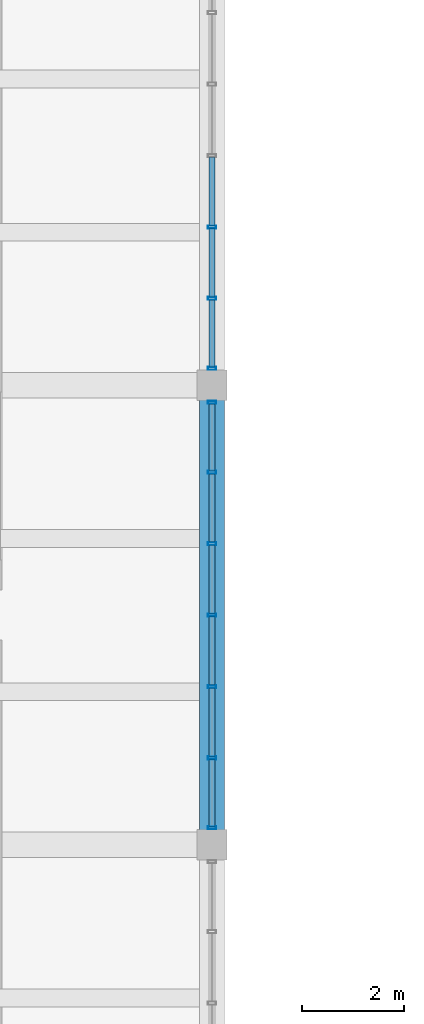
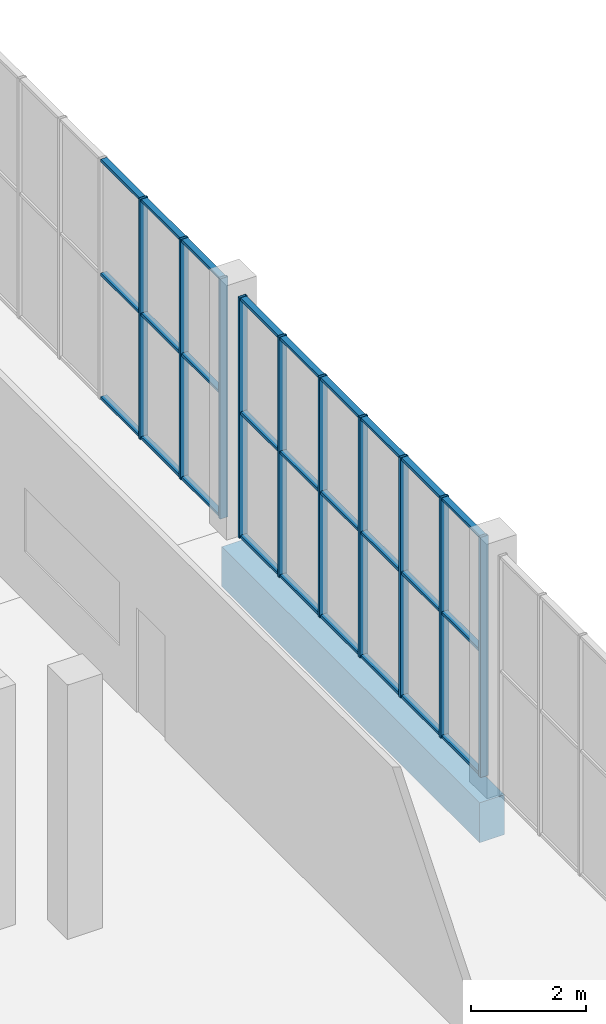
# One storey, part 54 of 132: 37 members, 1 beam, 2 elements without a shape of their own.
"""IFC4 building model written with IfcOpenShell, lengths in metres."""

from ifc_helpers import new_model, si_unit, direction, frame, origin, origin_2d, place, context, subcontext, project, spatial, rectangle, hollow_rectangle, extrude, material, material_profile, profile_set, type_object, element, aggregate, save


model = new_model("IFC4")

# Units and contexts
model_context = context("Model", 3, precision=1e-05, world=origin(), true_north=direction((0.0, 1.0)))
body_context = subcontext(model_context, "Body", "Model", "MODEL_VIEW")
ifc_project = project(units=[si_unit("LENGTHUNIT", "METRE"), si_unit("AREAUNIT", "SQUARE_METRE"), si_unit("VOLUMEUNIT", "CUBIC_METRE"), si_unit("PLANEANGLEUNIT", "RADIAN"), si_unit("MASSUNIT", "GRAM", prefix="KILO")], contexts=[model_context])

# Site, building, storey
site_placement = place(None, origin())
site = spatial("IfcSite", under=ifc_project, at=site_placement, CompositionType="ELEMENT")
building_placement = place(site_placement, origin())
building = spatial("IfcBuilding", under=site, at=building_placement, Name="Khurvash Pelagic Aquarium", CompositionType="ELEMENT")
storey_placement = place(building_placement, frame((0.0, 0.0, 5.39990234375)))
storey = spatial("IfcBuildingStorey", under=building, at=storey_placement, Name="L01", CompositionType="ELEMENT", Elevation=5.39990234375)

# Curtain wall, members
ifc_material_1 = material(Name="Anodised aluminium and low-E laminated glass", Category="aluminium")
curtain_wall_type = type_object("IfcCurtainWallType", Name="CW-06", PredefinedType="USERDEFINED", material=ifc_material_1)
curtain_wall_1_placement = place(storey_placement, origin())
curtain_wall_1 = element("IfcCurtainWall", 1, at=curtain_wall_1_placement, inside=storey, type_object=curtain_wall_type, Name="L01 Facade Unitised Curtain Wall CW-06 0132", ObjectType="UNITISED CURTAIN WALL", PredefinedType="USERDEFINED")
ifc_material_2 = material(Name="Extruded aluminium AW-6063-T6", Category="aluminium")
ifc_material_profile_1 = material_profile(ifc_material_2, hollow_rectangle(XDim=0.06005859375, YDim=0.159912109375, WallThickness=0.00390625, at=origin_2d()), Name="CWM60X160X4")
ifc_profile_set_1 = profile_set([ifc_material_profile_1], Name="Extruded aluminium AW-6063-T6")
member_type_1 = type_object("IfcMemberType", Name="CM-02", PredefinedType="MULLION", material=ifc_profile_set_1)
member_1_placement = place(storey_placement, frame((33.60009765625, 66.284912109375, 0.0), z_axis=(0.0, 0.0, 1.0), x_axis=(0.0, 1.0, 0.0)))
member_1 = element("IfcMember", 2, at=member_1_placement, type_object=member_type_1, Name="CW-06 mullion 1", PredefinedType="MULLION", context=body_context, shape_type="SweptSolid", body=[
    extrude(hollow_rectangle(XDim=0.06005859375, YDim=0.159912109375, WallThickness=0.00390625, at=origin_2d()), origin(), (0.0, 0.0, 1.0), 5.10009765625),
])
member_2_placement = place(storey_placement, frame((33.60009765625, 67.66162109375, 0.0), z_axis=(0.0, 0.0, 1.0), x_axis=(0.0, 1.0, 0.0)))
member_2 = element("IfcMember", 3, at=member_2_placement, type_object=member_type_1, Name="CW-06 mullion 2", PredefinedType="MULLION", context=body_context, shape_type="SweptSolid", body=[
    extrude(hollow_rectangle(XDim=0.06005859375, YDim=0.159912109375, WallThickness=0.00390625, at=origin_2d()), origin(), (0.0, 0.0, 1.0), 5.10009765625),
])
member_3_placement = place(storey_placement, frame((33.60009765625, 69.068359375, 0.0), z_axis=(0.0, 0.0, 1.0), x_axis=(0.0, 1.0, 0.0)))
member_3 = element("IfcMember", 4, at=member_3_placement, type_object=member_type_1, Name="CW-06 mullion 3", PredefinedType="MULLION", context=body_context, shape_type="SweptSolid", body=[
    extrude(hollow_rectangle(XDim=0.06005859375, YDim=0.159912109375, WallThickness=0.00390625, at=origin_2d()), origin(), (0.0, 0.0, 1.0), 5.10009765625),
])
member_4_placement = place(storey_placement, frame((33.60009765625, 70.47509765625, 0.0), z_axis=(0.0, 0.0, 1.0), x_axis=(0.0, 1.0, 0.0)))
member_4 = element("IfcMember", 5, at=member_4_placement, type_object=member_type_1, Name="CW-06 mullion 4", PredefinedType="MULLION", context=body_context, shape_type="SweptSolid", body=[
    extrude(hollow_rectangle(XDim=0.06005859375, YDim=0.159912109375, WallThickness=0.00390625, at=origin_2d()), origin(), (0.0, 0.0, 1.0), 5.10009765625),
])
member_5_placement = place(storey_placement, frame((33.60009765625, 71.881591796875, 0.0), z_axis=(0.0, 0.0, 1.0), x_axis=(0.0, 1.0, 0.0)))
member_5 = element("IfcMember", 6, at=member_5_placement, type_object=member_type_1, Name="CW-06 mullion 5", PredefinedType="MULLION", context=body_context, shape_type="SweptSolid", body=[
    extrude(hollow_rectangle(XDim=0.06005859375, YDim=0.159912109375, WallThickness=0.00390625, at=origin_2d()), origin(), (0.0, 0.0, 1.0), 5.10009765625),
])
member_6_placement = place(storey_placement, frame((33.60009765625, 73.288330078125, 0.0), z_axis=(0.0, 0.0, 1.0), x_axis=(0.0, 1.0, 0.0)))
member_6 = element("IfcMember", 7, at=member_6_placement, type_object=member_type_1, Name="CW-06 mullion 6", PredefinedType="MULLION", context=body_context, shape_type="SweptSolid", body=[
    extrude(hollow_rectangle(XDim=0.06005859375, YDim=0.159912109375, WallThickness=0.00390625, at=origin_2d()), origin(), (0.0, 0.0, 1.0), 5.10009765625),
])
member_7_placement = place(storey_placement, frame((33.60009765625, 74.6650390625, 0.0), z_axis=(0.0, 0.0, 1.0), x_axis=(0.0, 1.0, 0.0)))
member_7 = element("IfcMember", 8, at=member_7_placement, type_object=member_type_1, Name="CW-06 mullion 7", PredefinedType="MULLION", context=body_context, shape_type="SweptSolid", body=[
    extrude(hollow_rectangle(XDim=0.06005859375, YDim=0.159912109375, WallThickness=0.00390625, at=origin_2d()), origin(), (0.0, 0.0, 1.0), 5.10009765625),
])

curtain_wall_2_placement = place(storey_placement, origin())
curtain_wall_2 = element("IfcCurtainWall", 9, at=curtain_wall_2_placement, inside=storey, type_object=curtain_wall_type, Name="L01 Facade Unitised Curtain Wall CW-06 0133", ObjectType="UNITISED CURTAIN WALL", PredefinedType="USERDEFINED")
member_8_placement = place(storey_placement, frame((33.60009765625, 75.3349609375, 0.0), z_axis=(0.0, 0.0, 1.0), x_axis=(0.0, 1.0, 0.0)))
member_8 = element("IfcMember", 10, at=member_8_placement, type_object=member_type_1, Name="CW-06 mullion 1", PredefinedType="MULLION", context=body_context, shape_type="SweptSolid", body=[
    extrude(hollow_rectangle(XDim=0.06005859375, YDim=0.159912109375, WallThickness=0.00390625, at=origin_2d()), origin(), (0.0, 0.0, 1.0), 5.10009765625),
])
member_9_placement = place(storey_placement, frame((33.60009765625, 76.711669921875, 0.0), z_axis=(0.0, 0.0, 1.0), x_axis=(0.0, 1.0, 0.0)))
member_9 = element("IfcMember", 11, at=member_9_placement, type_object=member_type_1, Name="CW-06 mullion 2", PredefinedType="MULLION", context=body_context, shape_type="SweptSolid", body=[
    extrude(hollow_rectangle(XDim=0.06005859375, YDim=0.159912109375, WallThickness=0.00390625, at=origin_2d()), origin(), (0.0, 0.0, 1.0), 5.10009765625),
])
member_10_placement = place(storey_placement, frame((33.60009765625, 78.118408203125, 0.0), z_axis=(0.0, 0.0, 1.0), x_axis=(0.0, 1.0, 0.0)))
member_10 = element("IfcMember", 12, at=member_10_placement, type_object=member_type_1, Name="CW-06 mullion 3", PredefinedType="MULLION", context=body_context, shape_type="SweptSolid", body=[
    extrude(hollow_rectangle(XDim=0.06005859375, YDim=0.159912109375, WallThickness=0.00390625, at=origin_2d()), origin(), (0.0, 0.0, 1.0), 5.10009765625),
])

# Member
ifc_material_profile_2 = material_profile(ifc_material_2, hollow_rectangle(XDim=0.1201171875, YDim=0.06005859375, WallThickness=0.00390625, at=origin_2d()), Name="CWT120X60X4")
ifc_profile_set_2 = profile_set([ifc_material_profile_2], Name="Extruded aluminium AW-6063-T6")
member_type_2 = type_object("IfcMemberType", Name="CT-02", PredefinedType="USERDEFINED", material=ifc_profile_set_2)
member_11_placement = place(storey_placement, frame((33.60009765625, 66.31494140625, 0.030029296875), z_axis=(0.0, 1.0, 0.0), x_axis=(-1.0, 0.0, 0.0)))
member_11 = element("IfcMember", 13, at=member_11_placement, type_object=member_type_2, Name="CW-06 transom 1.1", ObjectType="TRANSOM", PredefinedType="USERDEFINED", context=body_context, shape_type="SweptSolid", body=[
    extrude(hollow_rectangle(XDim=0.1201171875, YDim=0.06005859375, WallThickness=0.00390625, at=origin_2d()), origin(), (0.0, 0.0, 1.0), 1.316650390625),
])

member_12_placement = place(storey_placement, frame((33.60009765625, 66.31494140625, 2.652099609375), z_axis=(0.0, 1.0, 0.0), x_axis=(-1.0, 0.0, 0.0)))
member_12 = element("IfcMember", 14, at=member_12_placement, type_object=member_type_2, Name="CW-06 transom 1.2", ObjectType="TRANSOM", PredefinedType="USERDEFINED", context=body_context, shape_type="SweptSolid", body=[
    extrude(hollow_rectangle(XDim=0.1201171875, YDim=0.06005859375, WallThickness=0.00390625, at=origin_2d()), origin(), (0.0, 0.0, 1.0), 1.316650390625),
])

member_13_placement = place(storey_placement, frame((33.60009765625, 66.31494140625, 5.070068359375), z_axis=(0.0, 1.0, 0.0), x_axis=(-1.0, 0.0, 0.0)))
member_13 = element("IfcMember", 15, at=member_13_placement, type_object=member_type_2, Name="CW-06 transom 1.3", ObjectType="TRANSOM", PredefinedType="USERDEFINED", context=body_context, shape_type="SweptSolid", body=[
    extrude(hollow_rectangle(XDim=0.1201171875, YDim=0.06005859375, WallThickness=0.00390625, at=origin_2d()), origin(), (0.0, 0.0, 1.0), 1.316650390625),
])

member_14_placement = place(storey_placement, frame((33.60009765625, 67.691650390625, 0.030029296875), z_axis=(0.0, 1.0, 0.0), x_axis=(-1.0, 0.0, 0.0)))
member_14 = element("IfcMember", 16, at=member_14_placement, type_object=member_type_2, Name="CW-06 transom 2.1", ObjectType="TRANSOM", PredefinedType="USERDEFINED", context=body_context, shape_type="SweptSolid", body=[
    extrude(hollow_rectangle(XDim=0.1201171875, YDim=0.06005859375, WallThickness=0.00390625, at=origin_2d()), origin(), (0.0, 0.0, 1.0), 1.3466796875),
])

member_15_placement = place(storey_placement, frame((33.60009765625, 67.691650390625, 2.652099609375), z_axis=(0.0, 1.0, 0.0), x_axis=(-1.0, 0.0, 0.0)))
member_15 = element("IfcMember", 17, at=member_15_placement, type_object=member_type_2, Name="CW-06 transom 2.2", ObjectType="TRANSOM", PredefinedType="USERDEFINED", context=body_context, shape_type="SweptSolid", body=[
    extrude(hollow_rectangle(XDim=0.1201171875, YDim=0.06005859375, WallThickness=0.00390625, at=origin_2d()), origin(), (0.0, 0.0, 1.0), 1.3466796875),
])

member_16_placement = place(storey_placement, frame((33.60009765625, 67.691650390625, 5.070068359375), z_axis=(0.0, 1.0, 0.0), x_axis=(-1.0, 0.0, 0.0)))
member_16 = element("IfcMember", 18, at=member_16_placement, type_object=member_type_2, Name="CW-06 transom 2.3", ObjectType="TRANSOM", PredefinedType="USERDEFINED", context=body_context, shape_type="SweptSolid", body=[
    extrude(hollow_rectangle(XDim=0.1201171875, YDim=0.06005859375, WallThickness=0.00390625, at=origin_2d()), origin(), (0.0, 0.0, 1.0), 1.3466796875),
])

member_17_placement = place(storey_placement, frame((33.60009765625, 69.098388671875, 0.030029296875), z_axis=(0.0, 1.0, 0.0), x_axis=(-1.0, 0.0, 0.0)))
member_17 = element("IfcMember", 19, at=member_17_placement, type_object=member_type_2, Name="CW-06 transom 3.1", ObjectType="TRANSOM", PredefinedType="USERDEFINED", context=body_context, shape_type="SweptSolid", body=[
    extrude(hollow_rectangle(XDim=0.1201171875, YDim=0.06005859375, WallThickness=0.00390625, at=origin_2d()), origin(), (0.0, 0.0, 1.0), 1.3466796875),
])

member_18_placement = place(storey_placement, frame((33.60009765625, 69.098388671875, 2.652099609375), z_axis=(0.0, 1.0, 0.0), x_axis=(-1.0, 0.0, 0.0)))
member_18 = element("IfcMember", 20, at=member_18_placement, type_object=member_type_2, Name="CW-06 transom 3.2", ObjectType="TRANSOM", PredefinedType="USERDEFINED", context=body_context, shape_type="SweptSolid", body=[
    extrude(hollow_rectangle(XDim=0.1201171875, YDim=0.06005859375, WallThickness=0.00390625, at=origin_2d()), origin(), (0.0, 0.0, 1.0), 1.3466796875),
])

member_19_placement = place(storey_placement, frame((33.60009765625, 69.098388671875, 5.070068359375), z_axis=(0.0, 1.0, 0.0), x_axis=(-1.0, 0.0, 0.0)))
member_19 = element("IfcMember", 21, at=member_19_placement, type_object=member_type_2, Name="CW-06 transom 3.3", ObjectType="TRANSOM", PredefinedType="USERDEFINED", context=body_context, shape_type="SweptSolid", body=[
    extrude(hollow_rectangle(XDim=0.1201171875, YDim=0.06005859375, WallThickness=0.00390625, at=origin_2d()), origin(), (0.0, 0.0, 1.0), 1.3466796875),
])

member_20_placement = place(storey_placement, frame((33.60009765625, 70.5048828125, 0.030029296875), z_axis=(0.0, 1.0, 0.0), x_axis=(-1.0, 0.0, 0.0)))
member_20 = element("IfcMember", 22, at=member_20_placement, type_object=member_type_2, Name="CW-06 transom 4.1", ObjectType="TRANSOM", PredefinedType="USERDEFINED", context=body_context, shape_type="SweptSolid", body=[
    extrude(hollow_rectangle(XDim=0.1201171875, YDim=0.06005859375, WallThickness=0.00390625, at=origin_2d()), origin(), (0.0, 0.0, 1.0), 1.3466796875),
])

member_21_placement = place(storey_placement, frame((33.60009765625, 70.5048828125, 2.652099609375), z_axis=(0.0, 1.0, 0.0), x_axis=(-1.0, 0.0, 0.0)))
member_21 = element("IfcMember", 23, at=member_21_placement, type_object=member_type_2, Name="CW-06 transom 4.2", ObjectType="TRANSOM", PredefinedType="USERDEFINED", context=body_context, shape_type="SweptSolid", body=[
    extrude(hollow_rectangle(XDim=0.1201171875, YDim=0.06005859375, WallThickness=0.00390625, at=origin_2d()), origin(), (0.0, 0.0, 1.0), 1.3466796875),
])

member_22_placement = place(storey_placement, frame((33.60009765625, 70.5048828125, 5.070068359375), z_axis=(0.0, 1.0, 0.0), x_axis=(-1.0, 0.0, 0.0)))
member_22 = element("IfcMember", 24, at=member_22_placement, type_object=member_type_2, Name="CW-06 transom 4.3", ObjectType="TRANSOM", PredefinedType="USERDEFINED", context=body_context, shape_type="SweptSolid", body=[
    extrude(hollow_rectangle(XDim=0.1201171875, YDim=0.06005859375, WallThickness=0.00390625, at=origin_2d()), origin(), (0.0, 0.0, 1.0), 1.3466796875),
])

member_23_placement = place(storey_placement, frame((33.60009765625, 71.91162109375, 0.030029296875), z_axis=(0.0, 1.0, 0.0), x_axis=(-1.0, 0.0, 0.0)))
member_23 = element("IfcMember", 25, at=member_23_placement, type_object=member_type_2, Name="CW-06 transom 5.1", ObjectType="TRANSOM", PredefinedType="USERDEFINED", context=body_context, shape_type="SweptSolid", body=[
    extrude(hollow_rectangle(XDim=0.1201171875, YDim=0.06005859375, WallThickness=0.00390625, at=origin_2d()), origin(), (0.0, 0.0, 1.0), 1.3466796875),
])

member_24_placement = place(storey_placement, frame((33.60009765625, 71.91162109375, 2.652099609375), z_axis=(0.0, 1.0, 0.0), x_axis=(-1.0, 0.0, 0.0)))
member_24 = element("IfcMember", 26, at=member_24_placement, type_object=member_type_2, Name="CW-06 transom 5.2", ObjectType="TRANSOM", PredefinedType="USERDEFINED", context=body_context, shape_type="SweptSolid", body=[
    extrude(hollow_rectangle(XDim=0.1201171875, YDim=0.06005859375, WallThickness=0.00390625, at=origin_2d()), origin(), (0.0, 0.0, 1.0), 1.3466796875),
])

member_25_placement = place(storey_placement, frame((33.60009765625, 71.91162109375, 5.070068359375), z_axis=(0.0, 1.0, 0.0), x_axis=(-1.0, 0.0, 0.0)))
member_25 = element("IfcMember", 27, at=member_25_placement, type_object=member_type_2, Name="CW-06 transom 5.3", ObjectType="TRANSOM", PredefinedType="USERDEFINED", context=body_context, shape_type="SweptSolid", body=[
    extrude(hollow_rectangle(XDim=0.1201171875, YDim=0.06005859375, WallThickness=0.00390625, at=origin_2d()), origin(), (0.0, 0.0, 1.0), 1.3466796875),
])

member_26_placement = place(storey_placement, frame((33.60009765625, 73.318359375, 0.030029296875), z_axis=(0.0, 1.0, 0.0), x_axis=(-1.0, 0.0, 0.0)))
member_26 = element("IfcMember", 28, at=member_26_placement, type_object=member_type_2, Name="CW-06 transom 6.1", ObjectType="TRANSOM", PredefinedType="USERDEFINED", context=body_context, shape_type="SweptSolid", body=[
    extrude(hollow_rectangle(XDim=0.1201171875, YDim=0.06005859375, WallThickness=0.00390625, at=origin_2d()), origin(), (0.0, 0.0, 1.0), 1.316650390625),
])

member_27_placement = place(storey_placement, frame((33.60009765625, 73.318359375, 2.652099609375), z_axis=(0.0, 1.0, 0.0), x_axis=(-1.0, 0.0, 0.0)))
member_27 = element("IfcMember", 29, at=member_27_placement, type_object=member_type_2, Name="CW-06 transom 6.2", ObjectType="TRANSOM", PredefinedType="USERDEFINED", context=body_context, shape_type="SweptSolid", body=[
    extrude(hollow_rectangle(XDim=0.1201171875, YDim=0.06005859375, WallThickness=0.00390625, at=origin_2d()), origin(), (0.0, 0.0, 1.0), 1.316650390625),
])

member_28_placement = place(storey_placement, frame((33.60009765625, 73.318359375, 5.070068359375), z_axis=(0.0, 1.0, 0.0), x_axis=(-1.0, 0.0, 0.0)))
member_28 = element("IfcMember", 30, at=member_28_placement, type_object=member_type_2, Name="CW-06 transom 6.3", ObjectType="TRANSOM", PredefinedType="USERDEFINED", context=body_context, shape_type="SweptSolid", body=[
    extrude(hollow_rectangle(XDim=0.1201171875, YDim=0.06005859375, WallThickness=0.00390625, at=origin_2d()), origin(), (0.0, 0.0, 1.0), 1.316650390625),
])

aggregate(curtain_wall_1, [member_1, member_2, member_3, member_4, member_5, member_6, member_7, member_11, member_12, member_13, member_14, member_15, member_16, member_17, member_18, member_19, member_20, member_21, member_22, member_23, member_24, member_25, member_26, member_27, member_28])

member_29_placement = place(storey_placement, frame((33.60009765625, 75.364990234375, 0.030029296875), z_axis=(0.0, 1.0, 0.0), x_axis=(-1.0, 0.0, 0.0)))
member_29 = element("IfcMember", 31, at=member_29_placement, type_object=member_type_2, Name="CW-06 transom 1.1", ObjectType="TRANSOM", PredefinedType="USERDEFINED", context=body_context, shape_type="SweptSolid", body=[
    extrude(hollow_rectangle(XDim=0.1201171875, YDim=0.06005859375, WallThickness=0.00390625, at=origin_2d()), origin(), (0.0, 0.0, 1.0), 1.316650390625),
])

member_30_placement = place(storey_placement, frame((33.60009765625, 75.364990234375, 2.652099609375), z_axis=(0.0, 1.0, 0.0), x_axis=(-1.0, 0.0, 0.0)))
member_30 = element("IfcMember", 32, at=member_30_placement, type_object=member_type_2, Name="CW-06 transom 1.2", ObjectType="TRANSOM", PredefinedType="USERDEFINED", context=body_context, shape_type="SweptSolid", body=[
    extrude(hollow_rectangle(XDim=0.1201171875, YDim=0.06005859375, WallThickness=0.00390625, at=origin_2d()), origin(), (0.0, 0.0, 1.0), 1.316650390625),
])

member_31_placement = place(storey_placement, frame((33.60009765625, 75.364990234375, 5.070068359375), z_axis=(0.0, 1.0, 0.0), x_axis=(-1.0, 0.0, 0.0)))
member_31 = element("IfcMember", 33, at=member_31_placement, type_object=member_type_2, Name="CW-06 transom 1.3", ObjectType="TRANSOM", PredefinedType="USERDEFINED", context=body_context, shape_type="SweptSolid", body=[
    extrude(hollow_rectangle(XDim=0.1201171875, YDim=0.06005859375, WallThickness=0.00390625, at=origin_2d()), origin(), (0.0, 0.0, 1.0), 1.316650390625),
])

member_32_placement = place(storey_placement, frame((33.60009765625, 76.74169921875, 0.030029296875), z_axis=(0.0, 1.0, 0.0), x_axis=(-1.0, 0.0, 0.0)))
member_32 = element("IfcMember", 34, at=member_32_placement, type_object=member_type_2, Name="CW-06 transom 2.1", ObjectType="TRANSOM", PredefinedType="USERDEFINED", context=body_context, shape_type="SweptSolid", body=[
    extrude(hollow_rectangle(XDim=0.1201171875, YDim=0.06005859375, WallThickness=0.00390625, at=origin_2d()), origin(), (0.0, 0.0, 1.0), 1.3466796875),
])

member_33_placement = place(storey_placement, frame((33.60009765625, 76.74169921875, 2.652099609375), z_axis=(0.0, 1.0, 0.0), x_axis=(-1.0, 0.0, 0.0)))
member_33 = element("IfcMember", 35, at=member_33_placement, type_object=member_type_2, Name="CW-06 transom 2.2", ObjectType="TRANSOM", PredefinedType="USERDEFINED", context=body_context, shape_type="SweptSolid", body=[
    extrude(hollow_rectangle(XDim=0.1201171875, YDim=0.06005859375, WallThickness=0.00390625, at=origin_2d()), origin(), (0.0, 0.0, 1.0), 1.3466796875),
])

member_34_placement = place(storey_placement, frame((33.60009765625, 76.74169921875, 5.070068359375), z_axis=(0.0, 1.0, 0.0), x_axis=(-1.0, 0.0, 0.0)))
member_34 = element("IfcMember", 36, at=member_34_placement, type_object=member_type_2, Name="CW-06 transom 2.3", ObjectType="TRANSOM", PredefinedType="USERDEFINED", context=body_context, shape_type="SweptSolid", body=[
    extrude(hollow_rectangle(XDim=0.1201171875, YDim=0.06005859375, WallThickness=0.00390625, at=origin_2d()), origin(), (0.0, 0.0, 1.0), 1.3466796875),
])

member_35_placement = place(storey_placement, frame((33.60009765625, 78.1484375, 0.030029296875), z_axis=(0.0, 1.0, 0.0), x_axis=(-1.0, 0.0, 0.0)))
member_35 = element("IfcMember", 37, at=member_35_placement, type_object=member_type_2, Name="CW-06 transom 3.1", ObjectType="TRANSOM", PredefinedType="USERDEFINED", context=body_context, shape_type="SweptSolid", body=[
    extrude(hollow_rectangle(XDim=0.1201171875, YDim=0.06005859375, WallThickness=0.00390625, at=origin_2d()), origin(), (0.0, 0.0, 1.0), 1.3466796875),
])

member_36_placement = place(storey_placement, frame((33.60009765625, 78.1484375, 2.652099609375), z_axis=(0.0, 1.0, 0.0), x_axis=(-1.0, 0.0, 0.0)))
member_36 = element("IfcMember", 38, at=member_36_placement, type_object=member_type_2, Name="CW-06 transom 3.2", ObjectType="TRANSOM", PredefinedType="USERDEFINED", context=body_context, shape_type="SweptSolid", body=[
    extrude(hollow_rectangle(XDim=0.1201171875, YDim=0.06005859375, WallThickness=0.00390625, at=origin_2d()), origin(), (0.0, 0.0, 1.0), 1.3466796875),
])

member_37_placement = place(storey_placement, frame((33.60009765625, 78.1484375, 5.070068359375), z_axis=(0.0, 1.0, 0.0), x_axis=(-1.0, 0.0, 0.0)))
member_37 = element("IfcMember", 39, at=member_37_placement, type_object=member_type_2, Name="CW-06 transom 3.3", ObjectType="TRANSOM", PredefinedType="USERDEFINED", context=body_context, shape_type="SweptSolid", body=[
    extrude(hollow_rectangle(XDim=0.1201171875, YDim=0.06005859375, WallThickness=0.00390625, at=origin_2d()), origin(), (0.0, 0.0, 1.0), 1.3466796875),
])

aggregate(curtain_wall_2, [member_8, member_9, member_10, member_29, member_30, member_31, member_32, member_33, member_34, member_35, member_36, member_37])

# Beam
ifc_material_3 = material(Name="Concrete C40/50", Category="concrete")
ifc_material_profile_3 = material_profile(ifc_material_3, rectangle(XDim=0.5, YDim=0.85009765625, at=origin_2d()), Name="RC500X850")
ifc_profile_set_3 = profile_set([ifc_material_profile_3], Name="Concrete C40/50")
beam_type = type_object("IfcBeamType", Name="SEB-03", PredefinedType="SPANDREL", material=ifc_profile_set_3)
beam_placement = place(storey_placement, frame((33.60009765625, 65.989990234375, -0.73486328125), z_axis=(0.0, 1.0, 0.0), x_axis=(-1.0, 0.0, 0.0)))
element("IfcBeam", 40, at=beam_placement, inside=storey, type_object=beam_type, Name="L01 Primary Girder SEB-03 00376", PredefinedType="SPANDREL", context=body_context, shape_type="SweptSolid", body=[
    extrude(rectangle(XDim=0.5, YDim=0.85009765625, at=origin_2d()), origin(), (0.0, 0.0, 1.0), 8.969970703125),
])

save(model, "model.ifc")
